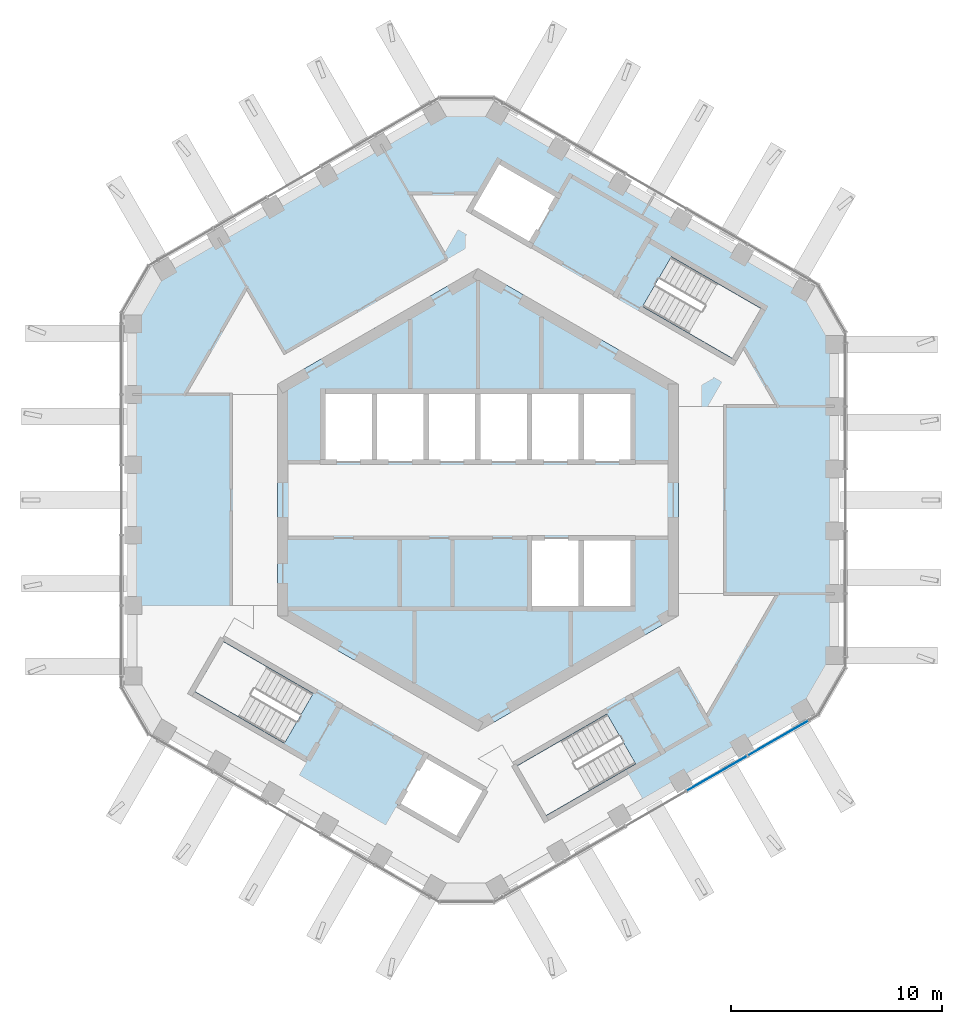
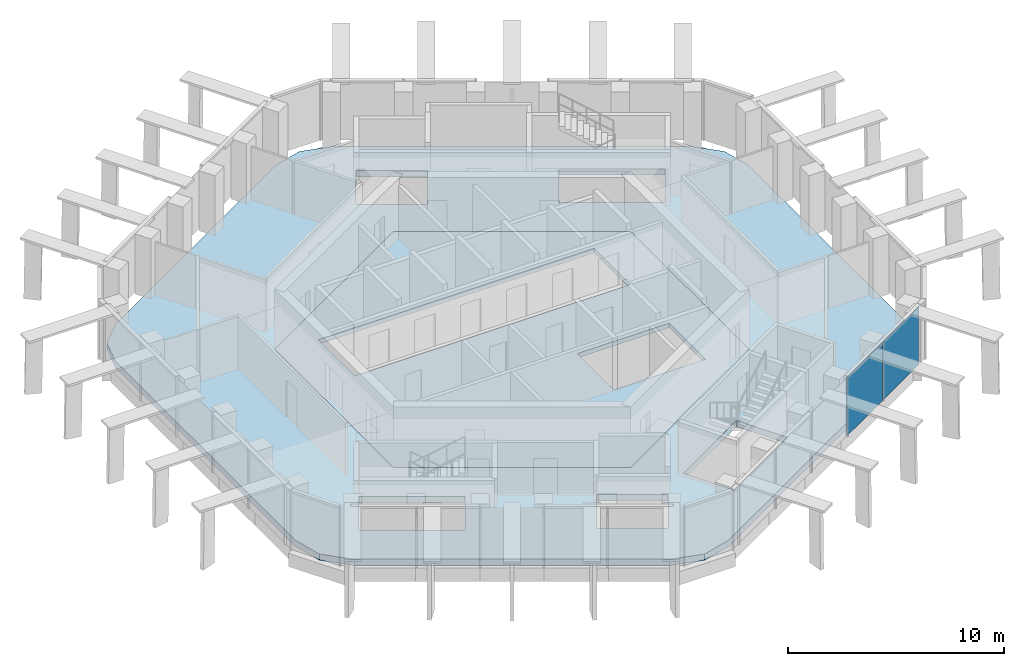
# One storey, part 8 of 17: 2 plates, 2 slabs, 1 element without a shape of its own.
"""IFC4 building model written with IfcOpenShell, lengths in metres."""

import ifcopenshell
import ifcopenshell.guid

model = None  # the IFC model being written
_history = None  # IfcOwnerHistory: only IFC2X3 demands one
_inside = {}  # id of a spatial element -> (the spatial element, [elements in it])
_under = {}  # id of a project, library or spatial element -> (it, [spatial elements below it])
_declared = {}  # id of a project -> (the project, [libraries it declares])
_typed = {}  # id of a type object -> (the type object, [elements of that type])
_made_of = {}  # id of a material, layer set ... -> (it, [elements and type objects made of it])


def new_model(schema):
    """Start an empty IFC model of exactly this schema.

    Asked for "IFC4X3", IfcOpenShell would pick the latest addendum, in which some entities
    have other attributes; the version numbers below select the first issue.
    IFC2X3 requires an IfcOwnerHistory on every rooted entity: one is made here for all.
    """
    global model, _history
    if schema == "IFC4X3":
        model = ifcopenshell.file(schema_version=(4, 3, 0, 0))
    else:
        model = ifcopenshell.file(schema=schema)
    _inside.clear()
    _under.clear()
    _declared.clear()
    _typed.clear()
    _made_of.clear()
    _history = None
    if model.schema == "IFC2X3":
        org = make("IfcOrganization", Name="unknown")
        user = make(
            "IfcPersonAndOrganization",
            ThePerson=make("IfcPerson", FamilyName="unknown"),
            TheOrganization=org,
        )
        app = make(
            "IfcApplication",
            ApplicationDeveloper=org,
            Version="unknown",
            ApplicationFullName="unknown",
            ApplicationIdentifier="unknown",
        )
        _history = make(
            "IfcOwnerHistory",
            OwningUser=user,
            OwningApplication=app,
            ChangeAction="ADDED",
            CreationDate=0,
        )
    return model


def make(cls, **values):
    """One entity of the class cls with the attributes given. An attribute that is None is left unset."""
    return model.create_entity(
        cls, **{name: value for name, value in values.items() if value is not None}
    )


def rooted(cls, **values):
    """An entity with a GlobalId (a new one), such as an element, a storey or a relation."""
    return make(cls, GlobalId=ifcopenshell.guid.new(), OwnerHistory=_history, **values)


def si_unit(unit_type, name, prefix=None):
    """IfcSIUnit, for example si_unit("LENGTHUNIT", "METRE", prefix="MILLI")."""
    return make("IfcSIUnit", UnitType=unit_type, Prefix=prefix, Name=name)


def assignment(units):
    """IfcUnitAssignment: the units of a project."""
    return None if units is None else make("IfcUnitAssignment", Units=units)


def point(xyz):
    """IfcCartesianPoint."""
    return None if xyz is None else make("IfcCartesianPoint", Coordinates=xyz)


def direction(xyz):
    """IfcDirection."""
    return None if xyz is None else make("IfcDirection", DirectionRatios=xyz)


def frame(location, z_axis=None, x_axis=None):
    """IfcAxis2Placement3D, a coordinate frame: its origin and axes. An axis left out is left unset."""
    return make(
        "IfcAxis2Placement3D",
        Location=point(location),
        Axis=direction(z_axis),
        RefDirection=direction(x_axis),
    )


def frame_2d(location, x_axis=None):
    """IfcAxis2Placement2D, a coordinate frame in the plane: its origin and x axis."""
    return make(
        "IfcAxis2Placement2D", Location=point(location), RefDirection=direction(x_axis)
    )


def origin():
    """The frame at (0, 0, 0) with its axes left unset."""
    return frame((0.0, 0.0, 0.0))


def origin_2d():
    """The frame at (0, 0) in the plane with its x axis left unset."""
    return frame_2d((0.0, 0.0))


def place(relative_to, where):
    """IfcLocalPlacement: puts the frame where relative to a parent placement (None: the world)."""
    return make(
        "IfcLocalPlacement", PlacementRelTo=relative_to, RelativePlacement=where
    )


def context(
    kind, dimensions, precision=None, world=None, true_north=None, identifier=None
):
    """IfcGeometricRepresentationContext, for example the 3D "Model" context."""
    return make(
        "IfcGeometricRepresentationContext",
        ContextIdentifier=identifier,
        ContextType=kind,
        CoordinateSpaceDimension=dimensions,
        Precision=precision,
        WorldCoordinateSystem=world,
        TrueNorth=true_north,
    )


def subcontext(parent, identifier, kind, view, scale=None):
    """IfcGeometricRepresentationSubContext, for example "Body" below "Model"."""
    return make(
        "IfcGeometricRepresentationSubContext",
        ContextIdentifier=identifier,
        ContextType=kind,
        ParentContext=parent,
        TargetScale=scale,
        TargetView=view,
    )


def project(units=None, contexts=None):
    """IfcProject with its units and contexts."""
    return rooted(
        "IfcProject",
        Name="project",
        RepresentationContexts=contexts,
        UnitsInContext=assignment(units),
    )


def spatial(cls, under=None, at=None, **own):
    """A site, building, storey or space (cls), placed at a placement, below another one or the project."""
    s = rooted(cls, ObjectPlacement=at, **own)
    if under is not None:
        _under.setdefault(under.id(), (under, []))[1].append(s)
    return s


def polyline(points):
    """IfcPolyline through the points."""
    return make("IfcPolyline", Points=[point(p) for p in points])


def profile(cls, at=None, kind="AREA", **sizes):
    """A parametric profile (cls). Its sizes go by their IFC names, for example OverallWidth=200.0."""
    return make(cls, ProfileType=kind, Position=at, **sizes)


def rectangle(**sizes):
    """IfcRectangleProfileDef."""
    return profile("IfcRectangleProfileDef", **sizes)


def outline(outer, holes=None, kind="AREA"):
    """IfcArbitraryClosedProfileDef: a profile drawn as a closed curve; with holes, ...WithVoids."""
    if holes is None:
        return make("IfcArbitraryClosedProfileDef", ProfileType=kind, OuterCurve=outer)
    return make(
        "IfcArbitraryProfileDefWithVoids",
        ProfileType=kind,
        OuterCurve=outer,
        InnerCurves=holes,
    )


def extrude(swept, where, along, depth):
    """IfcExtrudedAreaSolid: the profile swept, set in the frame where, extruded along a direction by depth."""
    return make(
        "IfcExtrudedAreaSolid",
        SweptArea=swept,
        Position=where,
        ExtrudedDirection=direction(along),
        Depth=depth,
    )


def shape(context_of_items, identifier, shape_type, items):
    """IfcShapeRepresentation: the items that make up one representation, for example the "Body"."""
    return make(
        "IfcShapeRepresentation",
        ContextOfItems=context_of_items,
        RepresentationIdentifier=identifier,
        RepresentationType=shape_type,
        Items=items,
    )


def material(Name=None, Category=None):
    """IfcMaterial."""
    return make("IfcMaterial", Name=Name, Category=Category)


def layer(
    of_material, thickness, ventilated=None, Name=None, Category=None, Priority=None
):
    """IfcMaterialLayer: one layer of a wall or slab, of a material (None: an air gap)."""
    return make(
        "IfcMaterialLayer",
        Material=of_material,
        LayerThickness=thickness,
        IsVentilated=ventilated,
        Name=Name,
        Category=Category,
        Priority=Priority,
    )


def layer_set(layers, Name=None):
    """IfcMaterialLayerSet."""
    return make("IfcMaterialLayerSet", MaterialLayers=layers, LayerSetName=Name)


def made_of(thing, what):
    """Note that an element or type object is made of a material, layer set ...; save() writes the relation."""
    if what is not None:
        _made_of.setdefault(what.id(), (what, []))[1].append(thing)
    return thing


def type_object(cls, material=None, **own):
    """A type object (cls), such as IfcWallType, which elements share."""
    return made_of(rooted(cls, **own), material)


def element(
    cls,
    number,
    at=None,
    inside=None,
    cuts=None,
    type_object=None,
    material=None,
    context=None,
    identifier="Body",
    shape_type=None,
    held_by="IfcProductDefinitionShape",
    body=None,
    shapes=None,
    **own,
):
    """One element of the class cls, such as IfcWall. Its Tag is "e" and its number.

    at: its placement. inside: the storey or other place that contains it. cuts: it is an
    opening in that element (IfcRelVoidsElement). A single representation is given by context,
    identifier, shape_type and body (its items); several are given by shapes. held_by: the class
    of the entity that holds the representations. save() writes the other relations.
    """
    e = rooted(cls, Tag="e%d" % number, ObjectPlacement=at, **own)
    if body is not None:
        shapes = [shape(context, identifier, shape_type, body)]
    if shapes is not None:
        e.Representation = make(held_by, Representations=shapes)
    if inside is not None:
        _inside.setdefault(inside.id(), (inside, []))[1].append(e)
    if cuts is not None:
        rooted(
            "IfcRelVoidsElement", RelatingBuildingElement=cuts, RelatedOpeningElement=e
        )
    if type_object is not None:
        _typed.setdefault(type_object.id(), (type_object, []))[1].append(e)
    return made_of(e, material)


def aggregate(whole, parts):
    """IfcRelAggregates: a whole, such as a stair, and the parts it consists of."""
    return rooted("IfcRelAggregates", RelatingObject=whole, RelatedObjects=parts)


def save(model, path):
    """Write the relations noted so far, then the file.

    IfcRelAggregates (storeys below a building ...), IfcRelContainedInSpatialStructure (elements
    in a storey), IfcRelDefinesByType, IfcRelAssociatesMaterial and IfcRelDeclares: one each for
    every whole, place, type object, material and project.
    """
    for whole, parts in _under.values():
        aggregate(whole, parts)
    for where, things in _inside.values():
        rooted(
            "IfcRelContainedInSpatialStructure",
            RelatedElements=things,
            RelatingStructure=where,
        )
    for kind, things in _typed.values():
        rooted("IfcRelDefinesByType", RelatedObjects=things, RelatingType=kind)
    for what, things in _made_of.values():
        rooted("IfcRelAssociatesMaterial", RelatedObjects=things, RelatingMaterial=what)
    for by, libraries in _declared.values():
        rooted("IfcRelDeclares", RelatingContext=by, RelatedDefinitions=libraries)
    model.write(path)


model = new_model("IFC4")

# Units and contexts
model_context = context("Model", 3, precision=1e-05, world=origin(), true_north=direction((0.0, 1.0)))
body_context = subcontext(model_context, "Body", "Model", "MODEL_VIEW")
ifc_project = project(units=[si_unit("LENGTHUNIT", "METRE"), si_unit("AREAUNIT", "SQUARE_METRE"), si_unit("VOLUMEUNIT", "CUBIC_METRE"), si_unit("PLANEANGLEUNIT", "RADIAN"), si_unit("MASSUNIT", "GRAM", prefix="KILO")], contexts=[model_context])

# Site, building, storey
site_placement = place(None, origin())
site = spatial("IfcSite", under=ifc_project, at=site_placement, CompositionType="ELEMENT")
building_placement = place(site_placement, origin())
building = spatial("IfcBuilding", under=site, at=building_placement, Name="Ayvan Gate Tower", CompositionType="ELEMENT")
storey_placement = place(building_placement, frame((0.0, 0.0, 249.5)))
storey = spatial("IfcBuildingStorey", under=building, at=storey_placement, Name="L67", CompositionType="ELEMENT", Elevation=249.5)

# Slabs
ifc_material_1 = material(Name="Concrete C40/50", Category="concrete")
ifc_layer_1 = layer(ifc_material_1, 0.35009765625)
ifc_layer_set_1 = layer_set([ifc_layer_1], Name="Concrete C40/50")
slab_type_1 = type_object("IfcSlabType", Name="Post-tensioned flat slab 350", PredefinedType="FLOOR", material=ifc_layer_set_1)
slab_1_placement = place(storey_placement, frame((0.0, 0.0, -0.35009765625)))
element("IfcSlab", 1, at=slab_1_placement, inside=storey, type_object=slab_type_1, Name="SL-L67", PredefinedType="FLOOR", context=body_context, shape_type="SweptSolid", body=[
    extrude(outline(polyline([(0.9658203125, -18.32568359375), (-0.5341796875, -18.7275390625), (-2.0341796875, -18.32568359375), (-14.853271484375, -10.92431640625), (-15.951416015625, -9.826416015625), (-16.353271484375, -8.326416015625), (-16.353271484375, 8.326416015625), (-15.951416015625, 9.826416015625), (-14.853271484375, 10.92431640625), (-2.0341796875, 18.32568359375), (-0.5341796875, 18.7275390625), (0.9658203125, 18.32568359375), (15.387451171875, 9.999267578125), (16.485595703125, 8.901123046875), (16.887451171875, 7.401123046875), (16.887451171875, -7.401123046875), (16.485595703125, -8.901123046875), (15.387451171875, -9.999267578125), (0.9658203125, -18.32568359375)]), holes=[polyline([(12.049560546875, 6.720458984375), (13.404541015625, 9.0673828125), (9.1611328125, 11.517578125), (7.80615234375, 9.170654296875), (12.049560546875, 6.720458984375)]), polyline([(9.5, 5.48486328125), (0.0, 10.9697265625), (-9.5, 5.48486328125), (-9.5, -5.48486328125), (0.0, -10.9697265625), (9.5, -5.48486328125), (9.5, 5.48486328125)]), polyline([(1.873779296875, -12.595458984375), (3.228759765625, -14.9423828125), (7.472412109375, -12.492431640625), (6.117431640625, -10.1455078125), (1.873779296875, -12.595458984375)]), polyline([(3.822509765625, 14.420654296875), (0.964599609375, 16.07080078125), (-0.385498046875, 13.732421875), (2.472412109375, 12.08251953125), (3.822509765625, 14.420654296875)]), polyline([(0.385498046875, -13.732421875), (-2.472412109375, -12.08251953125), (-3.822509765625, -14.420654296875), (-0.964599609375, -16.07080078125), (0.385498046875, -13.732421875)]), polyline([(-9.1611328125, -11.517578125), (-7.80615234375, -9.170654296875), (-12.049560546875, -6.720458984375), (-13.404541015625, -9.0673828125), (-9.1611328125, -11.517578125)])]), origin(), (0.0, 0.0, 1.0), 0.35009765625),
])
ifc_layer_2 = layer(ifc_material_1, 0.25)
ifc_layer_set_2 = layer_set([ifc_layer_2], Name="Concrete C40/50")
slab_type_2 = type_object("IfcSlabType", Name="SL-CORE-250", PredefinedType="FLOOR", material=ifc_layer_set_2)
slab_2_placement = place(storey_placement, frame((0.0, 0.0, -0.25)))
element("IfcSlab", 2, at=slab_2_placement, inside=storey, type_object=slab_type_2, Name="CS-L67", PredefinedType="FLOOR", context=body_context, shape_type="SweptSolid", body=[
    extrude(outline(polyline([(9.5, -5.48486328125), (0.0, -10.9697265625), (-9.5, -5.48486328125), (-9.5, 5.48486328125), (0.0, 10.9697265625), (9.5, 5.48486328125), (9.5, -5.48486328125)]), holes=[polyline([(-7.35009765625, 5.14990234375), (-7.35009765625, 1.800048828125), (7.35009765625, 1.800048828125), (7.35009765625, 5.14990234375), (-7.35009765625, 5.14990234375)]), polyline([(2.449951171875, -1.800048828125), (2.449951171875, -5.14990234375), (7.35009765625, -5.14990234375), (7.35009765625, -1.800048828125), (2.449951171875, -1.800048828125)])]), origin(), (0.0, 0.0, 1.0), 0.25),
])

# Curtain wall, plates
ifc_material_2 = material(Name="Bronze anodised aluminium", Category="aluminium")
ifc_layer_3 = layer(ifc_material_2, 0.199951171875)
ifc_layer_set_3 = layer_set([ifc_layer_3], Name="Bronze anodised aluminium")
curtain_wall_type = type_object("IfcCurtainWallType", Name="Stick curtain wall CW-2", PredefinedType="NOTDEFINED", material=ifc_layer_set_3)
curtain_wall_placement = place(storey_placement, origin())
curtain_wall = element("IfcCurtainWall", 3, at=curtain_wall_placement, inside=storey, type_object=curtain_wall_type, Name="Stick curtain wall CW-2 L67", PredefinedType="NOTDEFINED")
ifc_material_3 = material(Name="Clear low-iron laminated glass", Category="glass")
ifc_layer_4 = layer(ifc_material_3, 0.028076171875)
ifc_layer_set_4 = layer_set([ifc_layer_4], Name="Clear low-iron laminated glass")
plate_type = type_object("IfcPlateType", Name="Stick curtain wall CW-2 glass panel", PredefinedType="CURTAIN_PANEL", material=ifc_layer_set_4)
plate_1_placement = place(storey_placement, frame((11.32958984375, -12.9482421875, 0.0), z_axis=(0.0, 0.0, 1.0), x_axis=(0.866025403784, 0.5, 0.0)))
plate_1 = element("IfcPlate", 4, at=plate_1_placement, type_object=plate_type, Name="CW-2 glass panel 4", PredefinedType="CURTAIN_PANEL", context=body_context, shape_type="SweptSolid", body=[
    extrude(rectangle(XDim=3.26806640625, YDim=0.028076171875, at=origin_2d()), origin(), (0.0, 0.0, 1.0), 3.280029296875),
])
plate_2_placement = place(storey_placement, frame((14.242431640625, -11.2666015625, 0.0), z_axis=(0.0, 0.0, 1.0), x_axis=(0.866025403784, 0.5, 0.0)))
plate_2 = element("IfcPlate", 5, at=plate_2_placement, type_object=plate_type, Name="CW-2 glass panel 5", PredefinedType="CURTAIN_PANEL", context=body_context, shape_type="SweptSolid", body=[
    extrude(rectangle(XDim=3.31884765625, YDim=0.028076171875, at=origin_2d()), origin(), (0.0, 0.0, 1.0), 3.280029296875),
])
aggregate(curtain_wall, [plate_1, plate_2])

save(model, "model.ifc")
